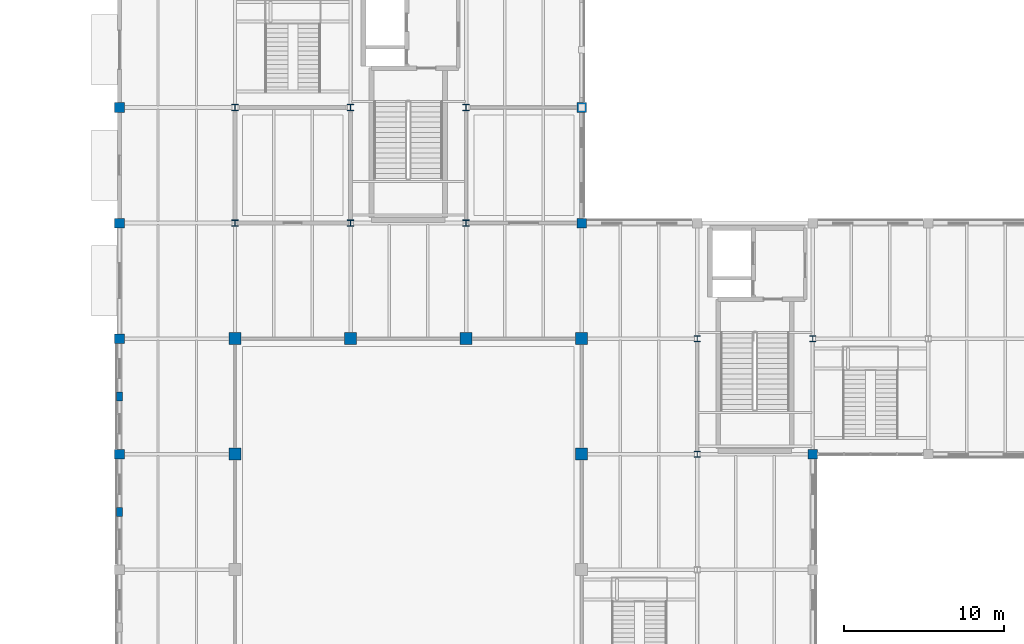
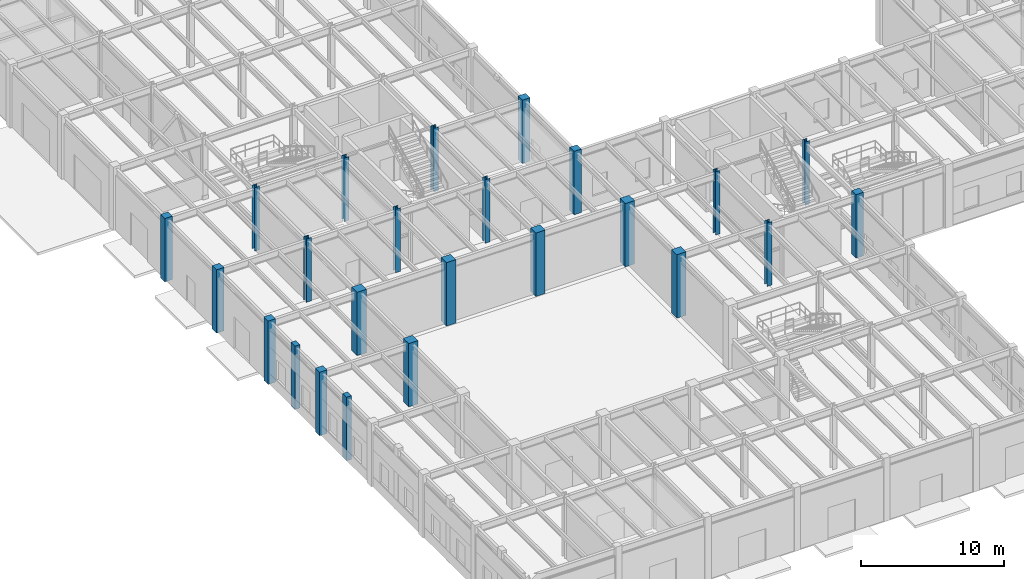
# One storey, part 3 of 97: 24 columns.
"""IFC4 building model written with IfcOpenShell, lengths in metres."""

from ifc_helpers import new_model, si_unit, direction, frame, origin, origin_2d, place, context, subcontext, project, spatial, rectangle, i_section, extrude, material, material_profile, profile_set, type_object, element, save


model = new_model("IFC4")

# Units and contexts
model_context = context("Model", 3, precision=1e-05, world=origin(), true_north=direction((0.0, 1.0)))
body_context = subcontext(model_context, "Body", "Model", "MODEL_VIEW")
ifc_project = project(units=[si_unit("LENGTHUNIT", "METRE"), si_unit("AREAUNIT", "SQUARE_METRE"), si_unit("VOLUMEUNIT", "CUBIC_METRE"), si_unit("PLANEANGLEUNIT", "RADIAN"), si_unit("MASSUNIT", "GRAM", prefix="KILO")], contexts=[model_context])

# Site, building, storey
site_placement = place(None, origin())
site = spatial("IfcSite", under=ifc_project, at=site_placement, CompositionType="ELEMENT")
building_placement = place(site_placement, origin())
building = spatial("IfcBuilding", under=site, at=building_placement, Name="Sillqori Civic Hall", CompositionType="ELEMENT")
storey_placement = place(building_placement, origin())
storey = spatial("IfcBuildingStorey", under=building, at=storey_placement, Name="L01", CompositionType="ELEMENT", Elevation=0.0)

# Columns
ifc_material_1 = material(Name="Concrete C35/45 (H35)", Category="concrete")
ifc_material_profile_1 = material_profile(ifc_material_1, rectangle(XDim=0.60009765625, YDim=0.60009765625, at=origin_2d()), Name="RC 600x600")
ifc_profile_set_1 = profile_set([ifc_material_profile_1], Name="Concrete C35/45 (H35)")
column_type_1 = type_object("IfcColumnType", Name="COL-RC600", PredefinedType="COLUMN", material=ifc_profile_set_1)
for number, where, z_axis, x_axis, name in (
    (1, (7.199951171875, 36.0, 0.0), (0.0, 0.0, 1.0), (1.0, 0.0, 0.0), "L01 column 1-5"),
    (2, (7.199951171875, 43.199951171875, 0.0), (0.0, 0.0, 1.0), (1.0, 0.0, 0.0), "L01 column 1-6"),
    (3, (7.199951171875, 50.39990234375, 0.0), (0.0, 0.0, 1.0), (1.0, 0.0, 0.0), "L01 column 1-7"),
    (4, (7.199951171875, 57.60009765625, 0.0), (0.0, 0.0, 1.0), (1.0, 0.0, 0.0), "L01 column 1-8"),
    (5, (36.0, 50.39990234375, 0.0), (0.0, 0.0, 1.0), (1.0, 0.0, 0.0), "L01 column 5-7"),
    (6, (36.0, 57.60009765625, 0.0), (0.0, 0.0, 1.0), (1.0, 0.0, 0.0), "L01 column 5-8"),
    (7, (50.39990234375, 36.0, 0.0), (0.0, 0.0, 1.0), (1.0, 0.0, 0.0), "L01 column 7-5"),
):
    element("IfcColumn", number, at=place(storey_placement, frame(where, z_axis=z_axis, x_axis=x_axis)), inside=storey, type_object=column_type_1, Name=name, PredefinedType="COLUMN", context=body_context, shape_type="SweptSolid", body=[
        extrude(rectangle(XDim=0.60009765625, YDim=0.60009765625, at=origin_2d()), origin(), (0.0, 0.0, 1.0), 5.39990234375),
    ])
ifc_material_profile_2 = material_profile(ifc_material_1, rectangle(XDim=0.75, YDim=0.75, at=origin_2d()), Name="RC 750x750")
ifc_profile_set_2 = profile_set([ifc_material_profile_2], Name="Concrete C35/45 (H35)")
column_type_2 = type_object("IfcColumnType", Name="COL-RC750", PredefinedType="COLUMN", material=ifc_profile_set_2)
for number, where, z_axis, x_axis, name in (
    (8, (14.39990234375, 36.0, 0.0), (0.0, 0.0, 1.0), (1.0, 0.0, 0.0), "L01 column 2-5"),
    (9, (14.39990234375, 43.199951171875, 0.0), (0.0, 0.0, 1.0), (1.0, 0.0, 0.0), "L01 column 2-6"),
    (10, (21.60009765625, 43.199951171875, 0.0), (0.0, 0.0, 1.0), (1.0, 0.0, 0.0), "L01 column 3-6"),
    (11, (28.800048828125, 43.199951171875, 0.0), (0.0, 0.0, 1.0), (1.0, 0.0, 0.0), "L01 column 4-6"),
    (12, (36.0, 36.0, 0.0), (0.0, 0.0, 1.0), (1.0, 0.0, 0.0), "L01 column 5-5"),
    (13, (36.0, 43.199951171875, 0.0), (0.0, 0.0, 1.0), (1.0, 0.0, 0.0), "L01 column 5-6"),
):
    element("IfcColumn", number, at=place(storey_placement, frame(where, z_axis=z_axis, x_axis=x_axis)), inside=storey, type_object=column_type_2, Name=name, PredefinedType="COLUMN", context=body_context, shape_type="SweptSolid", body=[
        extrude(rectangle(XDim=0.75, YDim=0.75, at=origin_2d()), origin(), (0.0, 0.0, 1.0), 5.39990234375),
    ])
ifc_material_2 = material(Name="Steel ASTM A992", Category="steel")
ifc_material_profile_3 = material_profile(ifc_material_2, i_section(OverallWidth=0.373046875, OverallDepth=0.367919921875, WebThickness=0.014892578125, FlangeThickness=0.02392578125, FilletRadius=0.014892578125, at=origin_2d()), Name="W14X120")
ifc_profile_set_3 = profile_set([ifc_material_profile_3], Name="Steel ASTM A992")
column_type_3 = type_object("IfcColumnType", Name="COL-W14X120", PredefinedType="COLUMN", material=ifc_profile_set_3)
for number, where, z_axis, x_axis, name in (
    (14, (43.199951171875, 36.0, 0.0), (0.0, 0.0, 1.0), (1.0, 0.0, 0.0), "L01 column 6-5"),
    (15, (43.199951171875, 43.199951171875, 0.0), (0.0, 0.0, 1.0), (1.0, 0.0, 0.0), "L01 column 6-6"),
    (16, (50.39990234375, 43.199951171875, 0.0), (0.0, 0.0, 1.0), (1.0, 0.0, 0.0), "L01 column 7-6"),
):
    element("IfcColumn", number, at=place(storey_placement, frame(where, z_axis=z_axis, x_axis=x_axis)), inside=storey, type_object=column_type_3, Name=name, PredefinedType="COLUMN", context=body_context, shape_type="SweptSolid", body=[
        extrude(i_section(OverallWidth=0.373046875, OverallDepth=0.367919921875, WebThickness=0.014892578125, FlangeThickness=0.02392578125, FilletRadius=0.014892578125, at=origin_2d()), origin(), (0.0, 0.0, 1.0), 5.39990234375),
    ])
ifc_material_profile_4 = material_profile(ifc_material_2, i_section(OverallWidth=0.39892578125, OverallDepth=0.385986328125, WebThickness=0.02099609375, FlangeThickness=0.033203125, FilletRadius=0.014892578125, at=origin_2d()), Name="W14X176")
ifc_profile_set_4 = profile_set([ifc_material_profile_4], Name="Steel ASTM A992")
column_type_4 = type_object("IfcColumnType", Name="COL-W14X176", PredefinedType="COLUMN", material=ifc_profile_set_4)
for number, where, z_axis, x_axis, name in (
    (17, (14.39990234375, 50.39990234375, 0.0), (0.0, 0.0, 1.0), (1.0, 0.0, 0.0), "L01 column 2-7"),
    (18, (14.39990234375, 57.60009765625, 0.0), (0.0, 0.0, 1.0), (1.0, 0.0, 0.0), "L01 column 2-8"),
    (19, (21.60009765625, 50.39990234375, 0.0), (0.0, 0.0, 1.0), (1.0, 0.0, 0.0), "L01 column 3-7"),
    (20, (21.60009765625, 57.60009765625, 0.0), (0.0, 0.0, 1.0), (1.0, 0.0, 0.0), "L01 column 3-8"),
    (21, (28.800048828125, 50.39990234375, 0.0), (0.0, 0.0, 1.0), (1.0, 0.0, 0.0), "L01 column 4-7"),
    (22, (28.800048828125, 57.60009765625, 0.0), (0.0, 0.0, 1.0), (1.0, 0.0, 0.0), "L01 column 4-8"),
):
    element("IfcColumn", number, at=place(storey_placement, frame(where, z_axis=z_axis, x_axis=x_axis)), inside=storey, type_object=column_type_4, Name=name, PredefinedType="COLUMN", context=body_context, shape_type="SweptSolid", body=[
        extrude(i_section(OverallWidth=0.39892578125, OverallDepth=0.385986328125, WebThickness=0.02099609375, FlangeThickness=0.033203125, FilletRadius=0.014892578125, at=origin_2d()), origin(), (0.0, 0.0, 1.0), 5.39990234375),
    ])
ifc_material_profile_5 = material_profile(ifc_material_1, rectangle(XDim=0.39990234375, YDim=0.550048828125, at=origin_2d()), Name="RC 400x550")
ifc_profile_set_5 = profile_set([ifc_material_profile_5], Name="Concrete C35/45 (H35)")
column_type_5 = type_object("IfcColumnType", Name="PIL-RC400", PredefinedType="PILASTER", material=ifc_profile_set_5)
for number, where, z_axis, x_axis, name in (
    (23, (7.199951171875, 32.39990234375, 0.0), (0.0, 0.0, 1.0), (1.0, 0.0, 0.0), "L01 facade pilaster 04"),
    (24, (7.199951171875, 39.60009765625, 0.0), (0.0, 0.0, 1.0), (1.0, 0.0, 0.0), "L01 facade pilaster 05"),
):
    element("IfcColumn", number, at=place(storey_placement, frame(where, z_axis=z_axis, x_axis=x_axis)), inside=storey, type_object=column_type_5, Name=name, PredefinedType="PILASTER", context=body_context, shape_type="SweptSolid", body=[
        extrude(rectangle(XDim=0.39990234375, YDim=0.550048828125, at=origin_2d()), origin(), (0.0, 0.0, 1.0), 5.39990234375),
    ])

save(model, "model.ifc")
